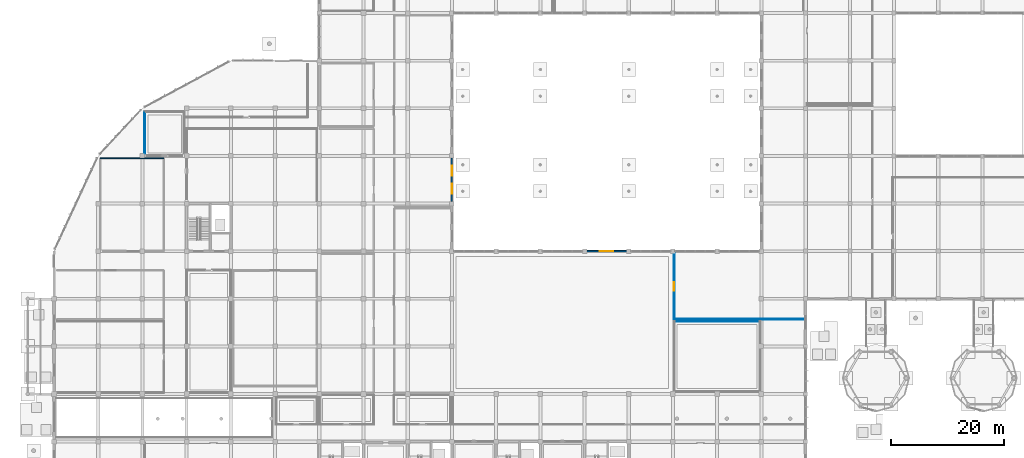
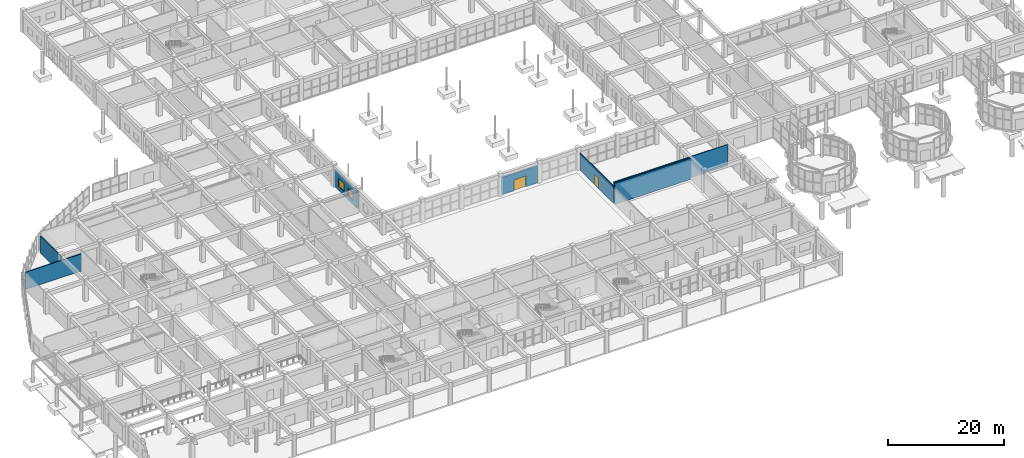
# One storey, part 125 of 139: 7 walls, 2 doors, 2 windows, 4 openings.
"""IFC4 building model written with IfcOpenShell, lengths in metres."""

import ifcopenshell
import ifcopenshell.guid

model = None  # the IFC model being written
_history = None  # IfcOwnerHistory: only IFC2X3 demands one
_inside = {}  # id of a spatial element -> (the spatial element, [elements in it])
_under = {}  # id of a project, library or spatial element -> (it, [spatial elements below it])
_declared = {}  # id of a project -> (the project, [libraries it declares])
_typed = {}  # id of a type object -> (the type object, [elements of that type])
_made_of = {}  # id of a material, layer set ... -> (it, [elements and type objects made of it])


def new_model(schema):
    """Start an empty IFC model of exactly this schema.

    Asked for "IFC4X3", IfcOpenShell would pick the latest addendum, in which some entities
    have other attributes; the version numbers below select the first issue.
    IFC2X3 requires an IfcOwnerHistory on every rooted entity: one is made here for all.
    """
    global model, _history
    if schema == "IFC4X3":
        model = ifcopenshell.file(schema_version=(4, 3, 0, 0))
    else:
        model = ifcopenshell.file(schema=schema)
    _inside.clear()
    _under.clear()
    _declared.clear()
    _typed.clear()
    _made_of.clear()
    _history = None
    if model.schema == "IFC2X3":
        org = make("IfcOrganization", Name="unknown")
        user = make(
            "IfcPersonAndOrganization",
            ThePerson=make("IfcPerson", FamilyName="unknown"),
            TheOrganization=org,
        )
        app = make(
            "IfcApplication",
            ApplicationDeveloper=org,
            Version="unknown",
            ApplicationFullName="unknown",
            ApplicationIdentifier="unknown",
        )
        _history = make(
            "IfcOwnerHistory",
            OwningUser=user,
            OwningApplication=app,
            ChangeAction="ADDED",
            CreationDate=0,
        )
    return model


def make(cls, **values):
    """One entity of the class cls with the attributes given. An attribute that is None is left unset."""
    return model.create_entity(
        cls, **{name: value for name, value in values.items() if value is not None}
    )


def rooted(cls, **values):
    """An entity with a GlobalId (a new one), such as an element, a storey or a relation."""
    return make(cls, GlobalId=ifcopenshell.guid.new(), OwnerHistory=_history, **values)


def si_unit(unit_type, name, prefix=None):
    """IfcSIUnit, for example si_unit("LENGTHUNIT", "METRE", prefix="MILLI")."""
    return make("IfcSIUnit", UnitType=unit_type, Prefix=prefix, Name=name)


def assignment(units):
    """IfcUnitAssignment: the units of a project."""
    return None if units is None else make("IfcUnitAssignment", Units=units)


def point(xyz):
    """IfcCartesianPoint."""
    return None if xyz is None else make("IfcCartesianPoint", Coordinates=xyz)


def direction(xyz):
    """IfcDirection."""
    return None if xyz is None else make("IfcDirection", DirectionRatios=xyz)


def frame(location, z_axis=None, x_axis=None):
    """IfcAxis2Placement3D, a coordinate frame: its origin and axes. An axis left out is left unset."""
    return make(
        "IfcAxis2Placement3D",
        Location=point(location),
        Axis=direction(z_axis),
        RefDirection=direction(x_axis),
    )


def frame_2d(location, x_axis=None):
    """IfcAxis2Placement2D, a coordinate frame in the plane: its origin and x axis."""
    return make(
        "IfcAxis2Placement2D", Location=point(location), RefDirection=direction(x_axis)
    )


def origin():
    """The frame at (0, 0, 0) with its axes left unset."""
    return frame((0.0, 0.0, 0.0))


def place(relative_to, where):
    """IfcLocalPlacement: puts the frame where relative to a parent placement (None: the world)."""
    return make(
        "IfcLocalPlacement", PlacementRelTo=relative_to, RelativePlacement=where
    )


def context(
    kind, dimensions, precision=None, world=None, true_north=None, identifier=None
):
    """IfcGeometricRepresentationContext, for example the 3D "Model" context."""
    return make(
        "IfcGeometricRepresentationContext",
        ContextIdentifier=identifier,
        ContextType=kind,
        CoordinateSpaceDimension=dimensions,
        Precision=precision,
        WorldCoordinateSystem=world,
        TrueNorth=true_north,
    )


def subcontext(parent, identifier, kind, view, scale=None):
    """IfcGeometricRepresentationSubContext, for example "Body" below "Model"."""
    return make(
        "IfcGeometricRepresentationSubContext",
        ContextIdentifier=identifier,
        ContextType=kind,
        ParentContext=parent,
        TargetScale=scale,
        TargetView=view,
    )


def project(units=None, contexts=None):
    """IfcProject with its units and contexts."""
    return rooted(
        "IfcProject",
        Name="project",
        RepresentationContexts=contexts,
        UnitsInContext=assignment(units),
    )


def spatial(cls, under=None, at=None, **own):
    """A site, building, storey or space (cls), placed at a placement, below another one or the project."""
    s = rooted(cls, ObjectPlacement=at, **own)
    if under is not None:
        _under.setdefault(under.id(), (under, []))[1].append(s)
    return s


def profile(cls, at=None, kind="AREA", **sizes):
    """A parametric profile (cls). Its sizes go by their IFC names, for example OverallWidth=200.0."""
    return make(cls, ProfileType=kind, Position=at, **sizes)


def rectangle(**sizes):
    """IfcRectangleProfileDef."""
    return profile("IfcRectangleProfileDef", **sizes)


def extrude(swept, where, along, depth):
    """IfcExtrudedAreaSolid: the profile swept, set in the frame where, extruded along a direction by depth."""
    return make(
        "IfcExtrudedAreaSolid",
        SweptArea=swept,
        Position=where,
        ExtrudedDirection=direction(along),
        Depth=depth,
    )


def shape(context_of_items, identifier, shape_type, items):
    """IfcShapeRepresentation: the items that make up one representation, for example the "Body"."""
    return make(
        "IfcShapeRepresentation",
        ContextOfItems=context_of_items,
        RepresentationIdentifier=identifier,
        RepresentationType=shape_type,
        Items=items,
    )


def material(Name=None, Category=None):
    """IfcMaterial."""
    return make("IfcMaterial", Name=Name, Category=Category)


def layer(
    of_material, thickness, ventilated=None, Name=None, Category=None, Priority=None
):
    """IfcMaterialLayer: one layer of a wall or slab, of a material (None: an air gap)."""
    return make(
        "IfcMaterialLayer",
        Material=of_material,
        LayerThickness=thickness,
        IsVentilated=ventilated,
        Name=Name,
        Category=Category,
        Priority=Priority,
    )


def layer_set(layers, Name=None):
    """IfcMaterialLayerSet."""
    return make("IfcMaterialLayerSet", MaterialLayers=layers, LayerSetName=Name)


def made_of(thing, what):
    """Note that an element or type object is made of a material, layer set ...; save() writes the relation."""
    if what is not None:
        _made_of.setdefault(what.id(), (what, []))[1].append(thing)
    return thing


def type_object(cls, material=None, **own):
    """A type object (cls), such as IfcWallType, which elements share."""
    return made_of(rooted(cls, **own), material)


def element(
    cls,
    number,
    at=None,
    inside=None,
    cuts=None,
    type_object=None,
    material=None,
    context=None,
    identifier="Body",
    shape_type=None,
    held_by="IfcProductDefinitionShape",
    body=None,
    shapes=None,
    **own,
):
    """One element of the class cls, such as IfcWall. Its Tag is "e" and its number.

    at: its placement. inside: the storey or other place that contains it. cuts: it is an
    opening in that element (IfcRelVoidsElement). A single representation is given by context,
    identifier, shape_type and body (its items); several are given by shapes. held_by: the class
    of the entity that holds the representations. save() writes the other relations.
    """
    e = rooted(cls, Tag="e%d" % number, ObjectPlacement=at, **own)
    if body is not None:
        shapes = [shape(context, identifier, shape_type, body)]
    if shapes is not None:
        e.Representation = make(held_by, Representations=shapes)
    if inside is not None:
        _inside.setdefault(inside.id(), (inside, []))[1].append(e)
    if cuts is not None:
        rooted(
            "IfcRelVoidsElement", RelatingBuildingElement=cuts, RelatedOpeningElement=e
        )
    if type_object is not None:
        _typed.setdefault(type_object.id(), (type_object, []))[1].append(e)
    return made_of(e, material)


def fill(opening, filler):
    """IfcRelFillsElement: the door or window that sits in an opening."""
    return rooted(
        "IfcRelFillsElement",
        RelatingOpeningElement=opening,
        RelatedBuildingElement=filler,
    )


def aggregate(whole, parts):
    """IfcRelAggregates: a whole, such as a stair, and the parts it consists of."""
    return rooted("IfcRelAggregates", RelatingObject=whole, RelatedObjects=parts)


def save(model, path):
    """Write the relations noted so far, then the file.

    IfcRelAggregates (storeys below a building ...), IfcRelContainedInSpatialStructure (elements
    in a storey), IfcRelDefinesByType, IfcRelAssociatesMaterial and IfcRelDeclares: one each for
    every whole, place, type object, material and project.
    """
    for whole, parts in _under.values():
        aggregate(whole, parts)
    for where, things in _inside.values():
        rooted(
            "IfcRelContainedInSpatialStructure",
            RelatedElements=things,
            RelatingStructure=where,
        )
    for kind, things in _typed.values():
        rooted("IfcRelDefinesByType", RelatedObjects=things, RelatingType=kind)
    for what, things in _made_of.values():
        rooted("IfcRelAssociatesMaterial", RelatedObjects=things, RelatingMaterial=what)
    for by, libraries in _declared.values():
        rooted("IfcRelDeclares", RelatingContext=by, RelatedDefinitions=libraries)
    model.write(path)


model = new_model("IFC4")

# Units and contexts
model_context = context("Model", 3, precision=1e-05, world=origin(), true_north=direction((0.0, 1.0)))
body_context = subcontext(model_context, "Body", "Model", "MODEL_VIEW")
ifc_project = project(units=[si_unit("LENGTHUNIT", "METRE"), si_unit("AREAUNIT", "SQUARE_METRE"), si_unit("VOLUMEUNIT", "CUBIC_METRE"), si_unit("PLANEANGLEUNIT", "RADIAN"), si_unit("MASSUNIT", "GRAM", prefix="KILO")], contexts=[model_context])

# Site, building, storey
site_placement = place(None, origin())
site = spatial("IfcSite", under=ifc_project, at=site_placement, CompositionType="ELEMENT")
building_placement = place(site_placement, origin())
building = spatial("IfcBuilding", under=site, at=building_placement, Name="Zizhar Promenade General Hospital", CompositionType="ELEMENT")
storey_placement = place(building_placement, origin())
storey = spatial("IfcBuildingStorey", under=building, at=storey_placement, Name="L00", CompositionType="ELEMENT", Elevation=0.0)

# Wall, openings, windows
ifc_material_1 = material(Name="Precast concrete C40/50", Category="concrete")
ifc_layer_1 = layer(ifc_material_1, 0.260009765625)
ifc_layer_set_1 = layer_set([ifc_layer_1], Name="Precast concrete C40/50")
wall_type_1 = type_object("IfcWallType", Name="EW-PC-260", PredefinedType="STANDARD", material=ifc_layer_set_1)
wall_1_placement = place(storey_placement, frame((70.199951171875, 59.139892578125, 0.0), z_axis=(0.0, 0.0, 1.0), x_axis=(0.0, 1.0, 0.0)))
wall_1 = element("IfcWall", 1, at=wall_1_placement, inside=storey, type_object=wall_type_1, Name="Garden Court West Wall L00-7", PredefinedType="STANDARD", context=body_context, shape_type="SweptSolid", body=[
    extrude(rectangle(XDim=7.72021484375, YDim=0.260009765625, at=frame_2d((3.860107421875, 0.0))), origin(), (0.0, 0.0, 1.0), 3.614990234375),
])
opening_1_placement = place(wall_1_placement, frame((1.373291015625, 0.0, 0.89990234375)))
opening_1 = element("IfcOpeningElement", 2, at=opening_1_placement, cuts=wall_1, Name="Opening W-08", PredefinedType="OPENING", context=body_context, shape_type="SweptSolid", body=[
    extrude(rectangle(XDim=1.800048828125, YDim=1.64990234375, at=frame_2d((0.89990234375, 0.824951171875))), frame((0.0, 0.14013671875, 0.0), z_axis=(0.0, -1.0, 0.0), x_axis=(1.0, 0.0, 0.0)), (0.0, 0.0, 1.0), 0.280029296875),
])
opening_2_placement = place(wall_1_placement, frame((4.546630859375, 0.0, 0.89990234375)))
opening_2 = element("IfcOpeningElement", 3, at=opening_2_placement, cuts=wall_1, Name="Opening W-08", PredefinedType="OPENING", context=body_context, shape_type="SweptSolid", body=[
    extrude(rectangle(XDim=1.800048828125, YDim=1.64990234375, at=frame_2d((0.89990234375, 0.824951171875))), frame((0.0, 0.14013671875, 0.0), z_axis=(0.0, -1.0, 0.0), x_axis=(1.0, 0.0, 0.0)), (0.0, 0.0, 1.0), 0.280029296875),
])
ifc_material_2 = material(Name="Anodised aluminium 6063-T6 and low-E glass", Category="aluminium")
window_type = type_object("IfcWindowType", Name="WIN-CLN-180x165", PartitioningType="DOUBLE_PANEL_VERTICAL", PredefinedType="WINDOW", material=ifc_material_2)
window_1_placement = place(opening_1_placement, origin())
window_1 = element("IfcWindow", 4, at=window_1_placement, inside=storey, type_object=window_type, Name="Garden Court West Wall L00-7 Window 1", OverallHeight=1.64990234375, OverallWidth=1.800048828125, PartitioningType="SINGLE_PANEL", PredefinedType="WINDOW", context=body_context, shape_type="SweptSolid", body=[
    extrude(rectangle(XDim=1.800048828125, YDim=1.64990234375, at=frame_2d((0.89990234375, 0.824951171875))), frame((0.0, 0.030029296875, 0.0), z_axis=(0.0, -1.0, 0.0), x_axis=(1.0, 0.0, 0.0)), (0.0, 0.0, 1.0), 0.06005859375),
])
fill(opening_1, window_1)
window_2_placement = place(opening_2_placement, origin())
window_2 = element("IfcWindow", 5, at=window_2_placement, inside=storey, type_object=window_type, Name="Garden Court West Wall L00-7 Window 2", OverallHeight=1.64990234375, OverallWidth=1.800048828125, PartitioningType="SINGLE_PANEL", PredefinedType="WINDOW", context=body_context, shape_type="SweptSolid", body=[
    extrude(rectangle(XDim=1.800048828125, YDim=1.64990234375, at=frame_2d((0.89990234375, 0.824951171875))), frame((0.0, 0.030029296875, 0.0), z_axis=(0.0, -1.0, 0.0), x_axis=(1.0, 0.0, 0.0)), (0.0, 0.0, 1.0), 0.06005859375),
])
fill(opening_2, window_2)

# Wall, opening, door
ifc_material_3 = material(Name="Precast concrete C40/50", Category="concrete")
ifc_layer_2 = layer(ifc_material_3, 0.27490234375)
ifc_layer_set_2 = layer_set([ifc_layer_2], Name="Precast concrete C40/50")
wall_type_2 = type_object("IfcWallType", Name="EW-PC-275", PredefinedType="STANDARD", material=ifc_layer_set_2)
wall_2_placement = place(storey_placement, frame((93.93994140625, 50.39990234375, 0.0), z_axis=(0.0, 0.0, 1.0), x_axis=(1.0, 0.0, 0.0)))
wall_2 = element("IfcWall", 6, at=wall_2_placement, inside=storey, type_object=wall_type_2, Name="Garden Court South Portal Wall", PredefinedType="STANDARD", context=body_context, shape_type="SweptSolid", body=[
    extrude(rectangle(XDim=7.1201171875, YDim=0.27490234375, at=frame_2d((3.56005859375, 0.0))), origin(), (0.0, 0.0, 1.0), 3.6298828125),
])
opening_3_placement = place(wall_2_placement, frame((2.360107421875, 0.0, 0.0)))
opening_3 = element("IfcOpeningElement", 7, at=opening_3_placement, cuts=wall_2, Name="Opening VG-03", PredefinedType="OPENING", context=body_context, shape_type="SweptSolid", body=[
    extrude(rectangle(XDim=2.39990234375, YDim=2.300048828125, at=frame_2d((1.199951171875, 1.14990234375))), frame((0.0, 0.1474609375, 0.0), z_axis=(0.0, -1.0, 0.0), x_axis=(1.0, 0.0, 0.0)), (0.0, 0.0, 1.0), 0.294921875),
])
ifc_material_4 = material(Name="Galvanised Steel S355", Category="steel")
door_type_1 = type_object("IfcDoorType", Name="GT-CRT-240x230", OperationType="DOUBLE_DOOR_SINGLE_SWING", PredefinedType="GATE", material=ifc_material_4)
door_1_placement = place(opening_3_placement, origin())
door_1 = element("IfcDoor", 8, at=door_1_placement, inside=storey, type_object=door_type_1, Name="Healing Garden Courtyard South Portal Gate", OperationType="DOUBLE_DOOR_SINGLE_SWING", OverallHeight=2.300048828125, OverallWidth=2.39990234375, PredefinedType="GATE", context=body_context, shape_type="SweptSolid", body=[
    extrude(rectangle(XDim=2.39990234375, YDim=2.300048828125, at=frame_2d((1.199951171875, 1.14990234375))), frame((0.0, 0.02490234375, 0.0), z_axis=(0.0, -1.0, 0.0), x_axis=(1.0, 0.0, 0.0)), (0.0, 0.0, 1.0), 0.050048828125),
])
fill(opening_3, door_1)

# Walls
ifc_material_5 = material(Name="Clinical consultation partition")
ifc_layer_3 = layer(ifc_material_5, 0.14501953125)
ifc_layer_set_3 = layer_set([ifc_layer_3], Name="Clinical consultation partition")
wall_type_3 = type_object("IfcWallType", Name="IW-CLN-145", PredefinedType="PARTITIONING", material=ifc_layer_set_3)
wall_3_placement = place(storey_placement, frame((109.39990234375, 38.0, 0.0), z_axis=(0.0, 0.0, 1.0), x_axis=(1.0, 0.0, 0.0)))
element("IfcWall", 9, at=wall_3_placement, inside=storey, type_object=wall_type_3, Name="Hospital Cafe and Dining Lounge N Partition", PredefinedType="PARTITIONING", context=body_context, shape_type="SweptSolid", body=[
    extrude(rectangle(XDim=15.2001953125, YDim=0.14501953125, at=frame_2d((7.60009765625, 0.0))), origin(), (0.0, 0.0, 1.0), 4.4599609375),
])
wall_4_placement = place(storey_placement, frame((109.39990234375, 38.39990234375, 0.0), z_axis=(0.0, 0.0, 1.0), x_axis=(1.0, 0.0, 0.0)))
element("IfcWall", 10, at=wall_4_placement, inside=storey, type_object=wall_type_3, Name="Pharmacy Shop and Patient Registration S Partition", PredefinedType="PARTITIONING", context=body_context, shape_type="SweptSolid", body=[
    extrude(rectangle(XDim=22.800048828125, YDim=0.14501953125, at=frame_2d((11.39990234375, 0.0))), origin(), (0.0, 0.0, 1.0), 4.4599609375),
])

# Wall, opening, door
wall_5_placement = place(storey_placement, frame((109.39990234375, 38.39990234375, 0.0), z_axis=(0.0, 0.0, 1.0), x_axis=(0.0, 1.0, 0.0)))
wall_5 = element("IfcWall", 11, at=wall_5_placement, inside=storey, type_object=wall_type_3, Name="Pharmacy Shop and Patient Registration W Partition", PredefinedType="PARTITIONING", context=body_context, shape_type="SweptSolid", body=[
    extrude(rectangle(XDim=11.60009765625, YDim=0.14501953125, at=frame_2d((5.800048828125, 0.0))), origin(), (0.0, 0.0, 1.0), 3.6298828125),
])
opening_4_placement = place(wall_5_placement, frame((5.0400390625, 0.0, 0.0)))
opening_4 = element("IfcOpeningElement", 12, at=opening_4_placement, cuts=wall_5, Name="Opening D-28", PredefinedType="OPENING", context=body_context, shape_type="SweptSolid", body=[
    extrude(rectangle(XDim=1.52001953125, YDim=2.199951171875, at=frame_2d((0.760009765625, 1.10009765625))), frame((0.0, 0.08251953125, 0.0), z_axis=(0.0, -1.0, 0.0), x_axis=(1.0, 0.0, 0.0)), (0.0, 0.0, 1.0), 0.1650390625),
])
ifc_material_6 = material(Name="Fire-rated timber glazed lounge pair", Category="wood")
door_type_2 = type_object("IfcDoorType", Name="DR-LOUNGE-152x220", OperationType="DOUBLE_DOOR_SINGLE_SWING", PredefinedType="DOOR", material=ifc_material_6)
door_2_placement = place(opening_4_placement, origin())
door_2 = element("IfcDoor", 13, at=door_2_placement, inside=storey, type_object=door_type_2, Name="Pharmacy Shop and Patient Registration Door", OperationType="DOUBLE_DOOR_SINGLE_SWING", OverallHeight=2.199951171875, OverallWidth=1.52001953125, PredefinedType="DOOR", context=body_context, shape_type="SweptSolid", body=[
    extrude(rectangle(XDim=1.52001953125, YDim=2.199951171875, at=frame_2d((0.760009765625, 1.10009765625))), frame((0.0, 0.02490234375, 0.0), z_axis=(0.0, -1.0, 0.0), x_axis=(1.0, 0.0, 0.0)), (0.0, 0.0, 1.0), 0.050048828125),
])
fill(opening_4, door_2)

# Walls
ifc_material_7 = material(Name="Fire-rated corridor gypsum partition")
ifc_layer_4 = layer(ifc_material_7, 0.1650390625)
ifc_layer_set_4 = layer_set([ifc_layer_4], Name="Fire-rated corridor gypsum partition")
wall_type_4 = type_object("IfcWallType", Name="IW-CORR-165", PredefinedType="PARTITIONING", material=ifc_layer_set_4)
wall_6_placement = place(storey_placement, frame((16.0, 67.56005859375, 0.0), z_axis=(0.0, 0.0, 1.0), x_axis=(0.0, 1.0, 0.0)))
element("IfcWall", 14, at=wall_6_placement, inside=storey, type_object=wall_type_4, Name="Emergency Department Paediatric Acute Care W Partition", PredefinedType="PARTITIONING", context=body_context, shape_type="SweptSolid", body=[
    extrude(rectangle(XDim=7.43994140625, YDim=0.1650390625, at=frame_2d((3.719970703125, 0.0))), origin(), (0.0, 0.0, 1.0), 3.6298828125),
])
ifc_material_8 = material(Name="Acoustic double-stud clinical partition")
ifc_layer_5 = layer(ifc_material_8, 0.179931640625)
ifc_layer_set_5 = layer_set([ifc_layer_5], Name="Acoustic double-stud clinical partition")
wall_type_5 = type_object("IfcWallType", Name="IW-ICU-180", PredefinedType="PARTITIONING", material=ifc_layer_set_5)
wall_7_placement = place(storey_placement, frame((8.199951171875, 66.800048828125, 0.0), z_axis=(0.0, 0.0, 1.0), x_axis=(1.0, 0.0, 0.0)))
element("IfcWall", 15, at=wall_7_placement, inside=storey, type_object=wall_type_5, Name="Emergency Department Major Trauma Treatment N Partition", PredefinedType="PARTITIONING", context=body_context, shape_type="SweptSolid", body=[
    extrude(rectangle(XDim=11.199951171875, YDim=0.179931640625, at=frame_2d((5.60009765625, 0.0))), origin(), (0.0, 0.0, 1.0), 3.6298828125),
])

save(model, "model.ifc")
